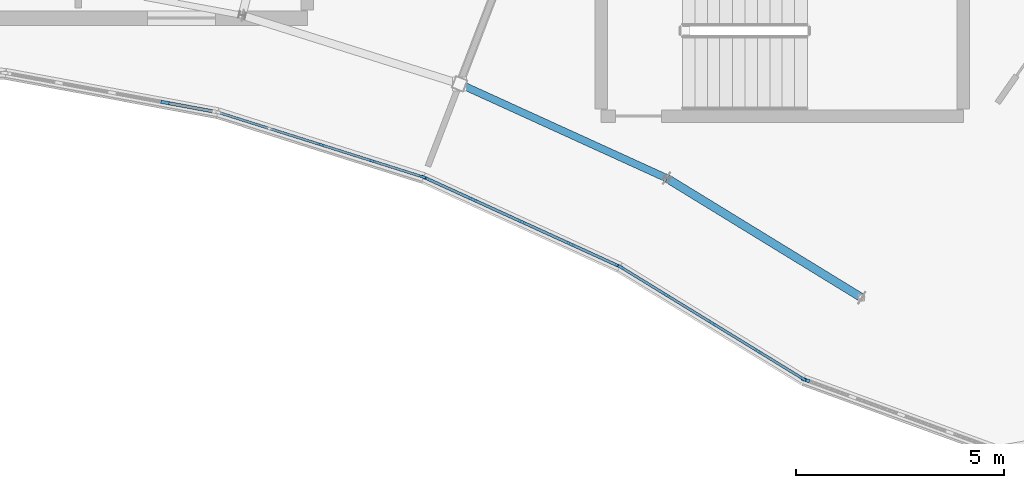
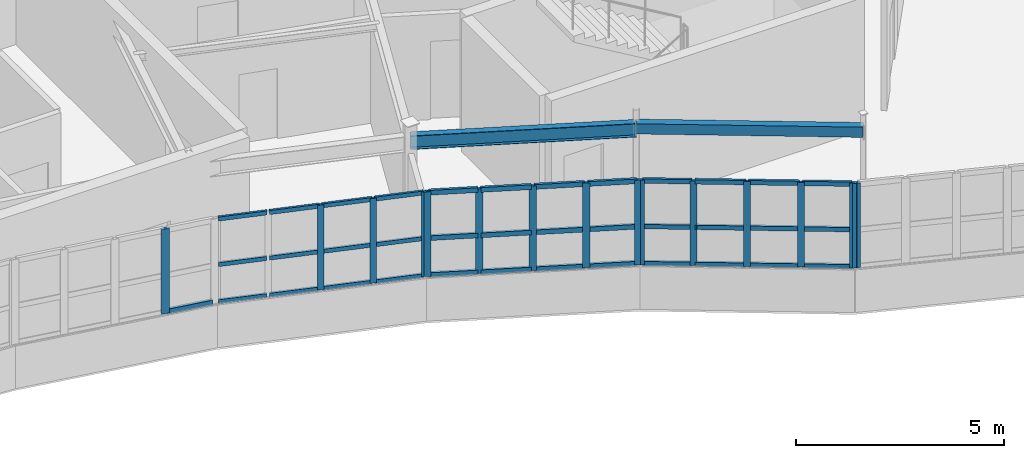
# One storey, part 38 of 79: 52 members, 2 beams, 5 elements without a shape of their own.
"""IFC4 building model written with IfcOpenShell, lengths in metres."""

from ifc_helpers import new_model, si_unit, direction, frame, origin, origin_2d, place, context, subcontext, project, spatial, rectangle, hollow_rectangle, i_section, extrude, material, layer, layer_set, material_profile, profile_set, type_object, element, aggregate, save


model = new_model("IFC4")

# Units and contexts
model_context = context("Model", 3, precision=1e-05, world=origin(), true_north=direction((0.0, 1.0)))
body_context = subcontext(model_context, "Body", "Model", "MODEL_VIEW")
ifc_project = project(units=[si_unit("LENGTHUNIT", "METRE"), si_unit("AREAUNIT", "SQUARE_METRE"), si_unit("VOLUMEUNIT", "CUBIC_METRE"), si_unit("PLANEANGLEUNIT", "RADIAN"), si_unit("MASSUNIT", "GRAM", prefix="KILO")], contexts=[model_context])

# Site, building, storey
site_placement = place(None, origin())
site = spatial("IfcSite", under=ifc_project, at=site_placement, CompositionType="ELEMENT")
building_placement = place(site_placement, origin())
building = spatial("IfcBuilding", under=site, at=building_placement, Name="Tarnwether General Hospital", CompositionType="ELEMENT")
storey_placement = place(building_placement, frame((0.0, 0.0, 18.300048828125)))
storey = spatial("IfcBuildingStorey", under=building, at=storey_placement, Name="L04", CompositionType="ELEMENT", Elevation=18.300048828125)

# Beams
ifc_material_1 = material(Name="Steel Grade 350 (350 MPa)", Category="steel")
ifc_material_profile_1 = material_profile(ifc_material_1, i_section(OverallWidth=0.177978515625, OverallDepth=0.403076171875, WebThickness=0.007568359375, FlangeThickness=0.010986328125, at=origin_2d()), Name="410UB53.7")
ifc_profile_set_1 = profile_set([ifc_material_profile_1], Name="Steel Grade 350 (350 MPa)")
beam_type_1 = type_object("IfcBeamType", Name="BM-SP2", PredefinedType="SPANDREL", material=ifc_profile_set_1)
beam_1_placement = place(storey_placement, frame((108.054931640625, 104.823974609375, 3.3583984375), z_axis=(0.909968605358, -0.414677148228, 0.0), x_axis=(0.414677148228, 0.909968605358, 0.0)))
element("IfcBeam", 1, at=beam_1_placement, inside=storey, type_object=beam_type_1, Name="Curved Ward NW Inner Spandrel BMG-L04-10806_10482-11303_10256-1978", PredefinedType="SPANDREL", context=body_context, shape_type="SweptSolid", body=[
    extrude(i_section(OverallWidth=0.177978515625, OverallDepth=0.403076171875, WebThickness=0.007568359375, FlangeThickness=0.010986328125, at=origin_2d()), origin(), (0.0, 0.0, 1.0), 5.469482421875),
])
ifc_material_2 = material(Name="Steel Grade C350L0 (350 MPa)", Category="steel")
ifc_material_profile_2 = material_profile(ifc_material_2, hollow_rectangle(XDim=0.199951171875, YDim=0.300048828125, WallThickness=0.012451171875, at=origin_2d()), Name="RHS300x200x12.5")
ifc_profile_set_2 = profile_set([ifc_material_profile_2], Name="Steel Grade C350L0 (350 MPa)")
beam_type_2 = type_object("IfcBeamType", Name="BM-SP3", PredefinedType="SPANDREL", material=ifc_profile_set_2)
beam_2_placement = place(storey_placement, frame((113.031982421875, 102.555908203125, 3.409912109375), z_axis=(0.85265897909, -0.522467860617, 0.0), x_axis=(0.522467860617, 0.85265897909, 0.0)))
element("IfcBeam", 2, at=beam_2_placement, inside=storey, type_object=beam_type_2, Name="Curved Ward NW Inner Spandrel BMG-L04-11303_10256-11770_9970-1980", PredefinedType="SPANDREL", context=body_context, shape_type="SweptSolid", body=[
    extrude(hollow_rectangle(XDim=0.199951171875, YDim=0.300048828125, WallThickness=0.012451171875, at=origin_2d()), origin(), (0.0, 0.0, 1.0), 5.469970703125),
])

# Curtain wall, members
ifc_material_3 = material(Name="Anodised aluminium", Category="aluminium")
ifc_layer = layer(ifc_material_3, 0.159912109375)
ifc_layer_set = layer_set([ifc_layer], Name="Anodised aluminium")
curtain_wall_type = type_object("IfcCurtainWallType", Name="CW-04", PredefinedType="NOTDEFINED", material=ifc_layer_set)
curtain_wall_1_placement = place(storey_placement, origin())
curtain_wall_1 = element("IfcCurtainWall", 3, at=curtain_wall_1_placement, inside=storey, type_object=curtain_wall_type, Name="Curtain Wall CWG-L04-1072_1026-0045", PredefinedType="NOTDEFINED")
ifc_material_4 = material(Name="Anodised aluminium", Category="aluminium")
ifc_material_profile_3 = material_profile(ifc_material_4, rectangle(XDim=0.06005859375, YDim=0.159912109375, at=origin_2d()), Name="ALU-MUL-60x160")
ifc_profile_set_3 = profile_set([ifc_material_profile_3], Name="Anodised aluminium")
member_type_1 = type_object("IfcMemberType", Name="CW-ML1", PredefinedType="MULLION", material=ifc_profile_set_3)
member_1_placement = place(storey_placement, frame((107.16650390625, 102.593017578125, 1.050048828125), z_axis=(0.0, 0.0, 1.0), x_axis=(-0.30071538783, -0.953713927508, 0.0)))
member_1 = element("IfcMember", 4, at=member_1_placement, type_object=member_type_1, Name="CW-04 mullion 1", PredefinedType="MULLION", context=body_context, shape_type="SweptSolid", body=[
    extrude(rectangle(XDim=0.06005859375, YDim=0.159912109375, at=origin_2d()), origin(), (0.0, 0.0, 1.0), 2.489990234375),
])
member_2_placement = place(storey_placement, frame((105.96044921875, 102.97314453125, 1.050048828125), z_axis=(0.0, 0.0, 1.0), x_axis=(-0.30071538783, -0.953713927508, 0.0)))
member_2 = element("IfcMember", 5, at=member_2_placement, type_object=member_type_1, Name="CW-04 mullion 2", PredefinedType="MULLION", context=body_context, shape_type="SweptSolid", body=[
    extrude(rectangle(XDim=0.06005859375, YDim=0.159912109375, at=origin_2d()), origin(), (0.0, 0.0, 1.0), 2.489990234375),
])
member_3_placement = place(storey_placement, frame((104.72607421875, 103.362548828125, 1.050048828125), z_axis=(0.0, 0.0, 1.0), x_axis=(-0.30071538783, -0.953713927508, 0.0)))
member_3 = element("IfcMember", 6, at=member_3_placement, type_object=member_type_1, Name="CW-04 mullion 3", PredefinedType="MULLION", context=body_context, shape_type="SweptSolid", body=[
    extrude(rectangle(XDim=0.06005859375, YDim=0.159912109375, at=origin_2d()), origin(), (0.0, 0.0, 1.0), 2.489990234375),
])

curtain_wall_2_placement = place(storey_placement, origin())
curtain_wall_2 = element("IfcCurtainWall", 7, at=curtain_wall_2_placement, inside=storey, type_object=curtain_wall_type, Name="Curtain Wall CWG-L04-1119_1004-0046", PredefinedType="NOTDEFINED")
ifc_material_5 = material(Name="Anodised aluminium", Category="aluminium")
ifc_material_profile_4 = material_profile(ifc_material_5, rectangle(XDim=0.070068359375, YDim=0.179931640625, at=origin_2d()), Name="ALU-MUL-70x180")
ifc_profile_set_4 = profile_set([ifc_material_profile_4], Name="Anodised aluminium")
member_type_2 = type_object("IfcMemberType", Name="CW-ML2", PredefinedType="MULLION", material=ifc_profile_set_4)
member_4_placement = place(storey_placement, frame((111.874267578125, 100.451416015625, 1.050048828125), z_axis=(0.0, 0.0, 1.0), x_axis=(-0.41470501572, -0.90995590549, 0.0)))
member_4 = element("IfcMember", 8, at=member_4_placement, type_object=member_type_2, Name="CW-04 mullion 1", PredefinedType="MULLION", context=body_context, shape_type="SweptSolid", body=[
    extrude(rectangle(XDim=0.070068359375, YDim=0.179931640625, at=origin_2d()), origin(), (0.0, 0.0, 1.0), 2.489990234375),
])
member_5_placement = place(storey_placement, frame((110.728271484375, 100.9736328125, 1.050048828125), z_axis=(0.0, 0.0, 1.0), x_axis=(-0.41470501572, -0.90995590549, 0.0)))
member_5 = element("IfcMember", 9, at=member_5_placement, type_object=member_type_2, Name="CW-04 mullion 2", PredefinedType="MULLION", context=body_context, shape_type="SweptSolid", body=[
    extrude(rectangle(XDim=0.070068359375, YDim=0.179931640625, at=origin_2d()), origin(), (0.0, 0.0, 1.0), 2.489990234375),
])
member_6_placement = place(storey_placement, frame((109.550537109375, 101.510498046875, 1.050048828125), z_axis=(0.0, 0.0, 1.0), x_axis=(-0.41470501572, -0.90995590549, 0.0)))
member_6 = element("IfcMember", 10, at=member_6_placement, type_object=member_type_2, Name="CW-04 mullion 3", PredefinedType="MULLION", context=body_context, shape_type="SweptSolid", body=[
    extrude(rectangle(XDim=0.070068359375, YDim=0.179931640625, at=origin_2d()), origin(), (0.0, 0.0, 1.0), 2.489990234375),
])
member_7_placement = place(storey_placement, frame((108.372802734375, 102.04736328125, 1.050048828125), z_axis=(0.0, 0.0, 1.0), x_axis=(-0.41470501572, -0.90995590549, 0.0)))
member_7 = element("IfcMember", 11, at=member_7_placement, type_object=member_type_2, Name="CW-04 mullion 4", PredefinedType="MULLION", context=body_context, shape_type="SweptSolid", body=[
    extrude(rectangle(XDim=0.070068359375, YDim=0.179931640625, at=origin_2d()), origin(), (0.0, 0.0, 1.0), 2.489990234375),
])
member_8_placement = place(storey_placement, frame((107.226806640625, 102.569580078125, 1.050048828125), z_axis=(0.0, 0.0, 1.0), x_axis=(-0.41470501572, -0.90995590549, 0.0)))
member_8 = element("IfcMember", 12, at=member_8_placement, type_object=member_type_2, Name="CW-04 mullion 5", PredefinedType="MULLION", context=body_context, shape_type="SweptSolid", body=[
    extrude(rectangle(XDim=0.070068359375, YDim=0.179931640625, at=origin_2d()), origin(), (0.0, 0.0, 1.0), 2.489990234375),
])

curtain_wall_3_placement = place(storey_placement, origin())
curtain_wall_3 = element("IfcCurtainWall", 13, at=curtain_wall_3_placement, inside=storey, type_object=curtain_wall_type, Name="Curtain Wall CWG-L04-1163_977-0047", PredefinedType="NOTDEFINED")
ifc_material_6 = material(Name="Anodised aluminium", Category="aluminium")
ifc_material_profile_5 = material_profile(ifc_material_6, rectangle(XDim=0.06494140625, YDim=0.169921875, at=origin_2d()), Name="ALU-MUL-65x170")
ifc_profile_set_5 = profile_set([ifc_material_profile_5], Name="Anodised aluminium")
member_type_3 = type_object("IfcMemberType", Name="CW-ML3", PredefinedType="MULLION", material=ifc_profile_set_5)
member_9_placement = place(storey_placement, frame((116.292236328125, 97.7490234375, 1.050048828125), z_axis=(0.0, 0.0, 1.0), x_axis=(-0.522512231483, -0.852631789198, 0.0)))
member_9 = element("IfcMember", 14, at=member_9_placement, type_object=member_type_3, Name="CW-04 mullion 1", PredefinedType="MULLION", context=body_context, shape_type="SweptSolid", body=[
    extrude(rectangle(XDim=0.06494140625, YDim=0.169921875, at=origin_2d()), origin(), (0.0, 0.0, 1.0), 2.489990234375),
])
member_10_placement = place(storey_placement, frame((115.216552734375, 98.408203125, 1.050048828125), z_axis=(0.0, 0.0, 1.0), x_axis=(-0.522512231483, -0.852631789198, 0.0)))
member_10 = element("IfcMember", 15, at=member_10_placement, type_object=member_type_3, Name="CW-04 mullion 2", PredefinedType="MULLION", context=body_context, shape_type="SweptSolid", body=[
    extrude(rectangle(XDim=0.06494140625, YDim=0.169921875, at=origin_2d()), origin(), (0.0, 0.0, 1.0), 2.489990234375),
])
member_11_placement = place(storey_placement, frame((114.113037109375, 99.08447265625, 1.050048828125), z_axis=(0.0, 0.0, 1.0), x_axis=(-0.522512231483, -0.852631789198, 0.0)))
member_11 = element("IfcMember", 16, at=member_11_placement, type_object=member_type_3, Name="CW-04 mullion 3", PredefinedType="MULLION", context=body_context, shape_type="SweptSolid", body=[
    extrude(rectangle(XDim=0.06494140625, YDim=0.169921875, at=origin_2d()), origin(), (0.0, 0.0, 1.0), 2.489990234375),
])
member_12_placement = place(storey_placement, frame((113.009521484375, 99.7607421875, 1.050048828125), z_axis=(0.0, 0.0, 1.0), x_axis=(-0.522512231483, -0.852631789198, 0.0)))
member_12 = element("IfcMember", 17, at=member_12_placement, type_object=member_type_3, Name="CW-04 mullion 4", PredefinedType="MULLION", context=body_context, shape_type="SweptSolid", body=[
    extrude(rectangle(XDim=0.06494140625, YDim=0.169921875, at=origin_2d()), origin(), (0.0, 0.0, 1.0), 2.489990234375),
])
member_13_placement = place(storey_placement, frame((111.93359375, 100.419921875, 1.050048828125), z_axis=(0.0, 0.0, 1.0), x_axis=(-0.522512231483, -0.852631789198, 0.0)))
member_13 = element("IfcMember", 18, at=member_13_placement, type_object=member_type_3, Name="CW-04 mullion 5", PredefinedType="MULLION", context=body_context, shape_type="SweptSolid", body=[
    extrude(rectangle(XDim=0.06494140625, YDim=0.169921875, at=origin_2d()), origin(), (0.0, 0.0, 1.0), 2.489990234375),
])

# Curtain wall, member
curtain_wall_4_placement = place(storey_placement, origin())
curtain_wall_4 = element("IfcCurtainWall", 19, at=curtain_wall_4_placement, inside=storey, type_object=curtain_wall_type, Name="Curtain Wall CWG-L04-1023_1041-0044", PredefinedType="NOTDEFINED")
ifc_material_7 = material(Name="Anodised aluminium", Category="aluminium")
ifc_material_profile_6 = material_profile(ifc_material_7, rectangle(XDim=0.080078125, YDim=0.199951171875, at=origin_2d()), Name="ALU-MUL-80x200")
ifc_profile_set_6 = profile_set([ifc_material_profile_6], Name="Anodised aluminium")
member_type_4 = type_object("IfcMemberType", Name="CW-ML4", PredefinedType="MULLION", material=ifc_profile_set_6)
member_14_placement = place(storey_placement, frame((100.984619140625, 104.376708984375, 1.050048828125), z_axis=(0.0, 0.0, 1.0), x_axis=(-0.182165351666, -0.983267910924, 0.0)))
member_14 = element("IfcMember", 20, at=member_14_placement, type_object=member_type_4, Name="CW-04 mullion 2", PredefinedType="MULLION", context=body_context, shape_type="SweptSolid", body=[
    extrude(rectangle(XDim=0.080078125, YDim=0.199951171875, at=origin_2d()), origin(), (0.0, 0.0, 1.0), 2.489990234375),
])

curtain_wall_5_placement = place(storey_placement, origin())
curtain_wall_5 = element("IfcCurtainWall", 21, at=curtain_wall_5_placement, inside=storey, type_object=curtain_wall_type, Name="Curtain Wall CWG-L04-1210_960-0048", PredefinedType="NOTDEFINED")
member_15_placement = place(storey_placement, frame((116.357666015625, 97.71826171875, 1.050048828125), z_axis=(0.0, 0.0, 1.0), x_axis=(-0.342130850834, -0.939652319163, 0.0)))
member_15 = element("IfcMember", 22, at=member_15_placement, type_object=member_type_4, Name="CW-04 mullion 5", PredefinedType="MULLION", context=body_context, shape_type="SweptSolid", body=[
    extrude(rectangle(XDim=0.080078125, YDim=0.199951171875, at=origin_2d()), origin(), (0.0, 0.0, 1.0), 2.489990234375),
])
aggregate(curtain_wall_5, [member_15])

# Member
ifc_material_8 = material(Name="Anodised aluminium", Category="aluminium")
ifc_material_profile_7 = material_profile(ifc_material_8, rectangle(XDim=0.06005859375, YDim=0.1201171875, at=origin_2d()), Name="ALU-TRN-60x120")
ifc_profile_set_7 = profile_set([ifc_material_profile_7], Name="Anodised aluminium")
member_type_5 = type_object("IfcMemberType", Name="CW-TR1", PredefinedType="USERDEFINED", material=ifc_profile_set_7)
member_16_placement = place(storey_placement, frame((107.1376953125, 102.60205078125, 1.079833984375), z_axis=(-0.953744897791, 0.300617148443, 0.0), x_axis=(-0.300617148443, -0.953744897791, 0.0)))
member_16 = element("IfcMember", 23, at=member_16_placement, type_object=member_type_5, Name="CW-04 transom 1.1", ObjectType="TRANSOM", PredefinedType="USERDEFINED", context=body_context, shape_type="SweptSolid", body=[
    extrude(rectangle(XDim=0.06005859375, YDim=0.1201171875, at=origin_2d()), origin(), (0.0, 0.0, 1.0), 1.204345703125),
])

member_17_placement = place(storey_placement, frame((107.1376953125, 102.60205078125, 2.17041015625), z_axis=(-0.953744897791, 0.300617148443, 0.0), x_axis=(-0.300617148443, -0.953744897791, 0.0)))
member_17 = element("IfcMember", 24, at=member_17_placement, type_object=member_type_5, Name="CW-04 transom 1.2", ObjectType="TRANSOM", PredefinedType="USERDEFINED", context=body_context, shape_type="SweptSolid", body=[
    extrude(rectangle(XDim=0.06005859375, YDim=0.1201171875, at=origin_2d()), origin(), (0.0, 0.0, 1.0), 1.204345703125),
])

member_18_placement = place(storey_placement, frame((107.1376953125, 102.60205078125, 3.510009765625), z_axis=(-0.953744897791, 0.300617148443, 0.0), x_axis=(-0.300617148443, -0.953744897791, 0.0)))
member_18 = element("IfcMember", 25, at=member_18_placement, type_object=member_type_5, Name="CW-04 transom 1.3", ObjectType="TRANSOM", PredefinedType="USERDEFINED", context=body_context, shape_type="SweptSolid", body=[
    extrude(rectangle(XDim=0.06005859375, YDim=0.1201171875, at=origin_2d()), origin(), (0.0, 0.0, 1.0), 1.204345703125),
])

member_19_placement = place(storey_placement, frame((105.931884765625, 102.982177734375, 1.079833984375), z_axis=(-0.953681253444, 0.300818993465, 0.0), x_axis=(-0.300818993465, -0.953681253444, 0.0)))
member_19 = element("IfcMember", 26, at=member_19_placement, type_object=member_type_5, Name="CW-04 transom 2.1", ObjectType="TRANSOM", PredefinedType="USERDEFINED", context=body_context, shape_type="SweptSolid", body=[
    extrude(rectangle(XDim=0.06005859375, YDim=0.1201171875, at=origin_2d()), origin(), (0.0, 0.0, 1.0), 1.234375),
])

member_20_placement = place(storey_placement, frame((105.931884765625, 102.982177734375, 2.17041015625), z_axis=(-0.953681253444, 0.300818993465, 0.0), x_axis=(-0.300818993465, -0.953681253444, 0.0)))
member_20 = element("IfcMember", 27, at=member_20_placement, type_object=member_type_5, Name="CW-04 transom 2.2", ObjectType="TRANSOM", PredefinedType="USERDEFINED", context=body_context, shape_type="SweptSolid", body=[
    extrude(rectangle(XDim=0.06005859375, YDim=0.1201171875, at=origin_2d()), origin(), (0.0, 0.0, 1.0), 1.234375),
])

member_21_placement = place(storey_placement, frame((105.931884765625, 102.982177734375, 3.510009765625), z_axis=(-0.953681253444, 0.300818993465, 0.0), x_axis=(-0.300818993465, -0.953681253444, 0.0)))
member_21 = element("IfcMember", 28, at=member_21_placement, type_object=member_type_5, Name="CW-04 transom 2.3", ObjectType="TRANSOM", PredefinedType="USERDEFINED", context=body_context, shape_type="SweptSolid", body=[
    extrude(rectangle(XDim=0.06005859375, YDim=0.1201171875, at=origin_2d()), origin(), (0.0, 0.0, 1.0), 1.234375),
])

member_22_placement = place(storey_placement, frame((104.697509765625, 103.37158203125, 1.079833984375), z_axis=(-0.953755851093, 0.300582395534, 0.0), x_axis=(-0.300582395534, -0.953755851093, 0.0)))
member_22 = element("IfcMember", 29, at=member_22_placement, type_object=member_type_5, Name="CW-04 transom 3.1", ObjectType="TRANSOM", PredefinedType="USERDEFINED", context=body_context, shape_type="SweptSolid", body=[
    extrude(rectangle(XDim=0.06005859375, YDim=0.1201171875, at=origin_2d()), origin(), (0.0, 0.0, 1.0), 1.234619140625),
])

member_23_placement = place(storey_placement, frame((104.697509765625, 103.37158203125, 2.17041015625), z_axis=(-0.953755851093, 0.300582395534, 0.0), x_axis=(-0.300582395534, -0.953755851093, 0.0)))
member_23 = element("IfcMember", 30, at=member_23_placement, type_object=member_type_5, Name="CW-04 transom 3.2", ObjectType="TRANSOM", PredefinedType="USERDEFINED", context=body_context, shape_type="SweptSolid", body=[
    extrude(rectangle(XDim=0.06005859375, YDim=0.1201171875, at=origin_2d()), origin(), (0.0, 0.0, 1.0), 1.234619140625),
])

member_24_placement = place(storey_placement, frame((104.697509765625, 103.37158203125, 3.510009765625), z_axis=(-0.953755851093, 0.300582395534, 0.0), x_axis=(-0.300582395534, -0.953755851093, 0.0)))
member_24 = element("IfcMember", 31, at=member_24_placement, type_object=member_type_5, Name="CW-04 transom 3.3", ObjectType="TRANSOM", PredefinedType="USERDEFINED", context=body_context, shape_type="SweptSolid", body=[
    extrude(rectangle(XDim=0.06005859375, YDim=0.1201171875, at=origin_2d()), origin(), (0.0, 0.0, 1.0), 1.234619140625),
])

member_25_placement = place(storey_placement, frame((103.462890625, 103.7607421875, 1.079833984375), z_axis=(-0.953686764452, 0.300801521455, 0.0), x_axis=(-0.300801521455, -0.953686764452, 0.0)))
member_25 = element("IfcMember", 32, at=member_25_placement, type_object=member_type_5, Name="CW-04 transom 4.1", ObjectType="TRANSOM", PredefinedType="USERDEFINED", context=body_context, shape_type="SweptSolid", body=[
    extrude(rectangle(XDim=0.06005859375, YDim=0.1201171875, at=origin_2d()), origin(), (0.0, 0.0, 1.0), 1.204345703125),
])

member_26_placement = place(storey_placement, frame((103.462890625, 103.7607421875, 2.17041015625), z_axis=(-0.953686764452, 0.300801521455, 0.0), x_axis=(-0.300801521455, -0.953686764452, 0.0)))
member_26 = element("IfcMember", 33, at=member_26_placement, type_object=member_type_5, Name="CW-04 transom 4.2", ObjectType="TRANSOM", PredefinedType="USERDEFINED", context=body_context, shape_type="SweptSolid", body=[
    extrude(rectangle(XDim=0.06005859375, YDim=0.1201171875, at=origin_2d()), origin(), (0.0, 0.0, 1.0), 1.204345703125),
])

member_27_placement = place(storey_placement, frame((103.462890625, 103.7607421875, 3.510009765625), z_axis=(-0.953686764452, 0.300801521455, 0.0), x_axis=(-0.300801521455, -0.953686764452, 0.0)))
member_27 = element("IfcMember", 34, at=member_27_placement, type_object=member_type_5, Name="CW-04 transom 4.3", ObjectType="TRANSOM", PredefinedType="USERDEFINED", context=body_context, shape_type="SweptSolid", body=[
    extrude(rectangle(XDim=0.06005859375, YDim=0.1201171875, at=origin_2d()), origin(), (0.0, 0.0, 1.0), 1.204345703125),
])

aggregate(curtain_wall_1, [member_1, member_2, member_3, member_16, member_17, member_18, member_19, member_20, member_21, member_22, member_23, member_24, member_25, member_26, member_27])

ifc_material_9 = material(Name="Anodised aluminium", Category="aluminium")
ifc_material_profile_8 = material_profile(ifc_material_9, rectangle(XDim=0.070068359375, YDim=0.139892578125, at=origin_2d()), Name="ALU-TRN-70x140")
ifc_profile_set_8 = profile_set([ifc_material_profile_8], Name="Anodised aluminium")
member_type_6 = type_object("IfcMemberType", Name="CW-TR2", PredefinedType="USERDEFINED", material=ifc_profile_set_8)
member_28_placement = place(storey_placement, frame((111.84228515625, 100.466064453125, 1.0849609375), z_axis=(-0.909979433919, 0.414653385183, 0.0), x_axis=(-0.414653385183, -0.909979433919, 0.0)))
member_28 = element("IfcMember", 35, at=member_28_placement, type_object=member_type_6, Name="CW-04 transom 1.1", ObjectType="TRANSOM", PredefinedType="USERDEFINED", context=body_context, shape_type="SweptSolid", body=[
    extrude(rectangle(XDim=0.070068359375, YDim=0.139892578125, at=origin_2d()), origin(), (0.0, 0.0, 1.0), 1.189453125),
])

member_29_placement = place(storey_placement, frame((111.84228515625, 100.466064453125, 2.17041015625), z_axis=(-0.909979433919, 0.414653385183, 0.0), x_axis=(-0.414653385183, -0.909979433919, 0.0)))
member_29 = element("IfcMember", 36, at=member_29_placement, type_object=member_type_6, Name="CW-04 transom 1.2", ObjectType="TRANSOM", PredefinedType="USERDEFINED", context=body_context, shape_type="SweptSolid", body=[
    extrude(rectangle(XDim=0.070068359375, YDim=0.139892578125, at=origin_2d()), origin(), (0.0, 0.0, 1.0), 1.189453125),
])

member_30_placement = place(storey_placement, frame((111.84228515625, 100.466064453125, 3.5048828125), z_axis=(-0.909979433919, 0.414653385183, 0.0), x_axis=(-0.414653385183, -0.909979433919, 0.0)))
member_30 = element("IfcMember", 37, at=member_30_placement, type_object=member_type_6, Name="CW-04 transom 1.3", ObjectType="TRANSOM", PredefinedType="USERDEFINED", context=body_context, shape_type="SweptSolid", body=[
    extrude(rectangle(XDim=0.070068359375, YDim=0.139892578125, at=origin_2d()), origin(), (0.0, 0.0, 1.0), 1.189453125),
])

member_31_placement = place(storey_placement, frame((110.6962890625, 100.98828125, 1.0849609375), z_axis=(-0.909922054597, 0.414779284147, 0.0), x_axis=(-0.414779284147, -0.909922054597, 0.0)))
member_31 = element("IfcMember", 38, at=member_31_placement, type_object=member_type_6, Name="CW-04 transom 2.1", ObjectType="TRANSOM", PredefinedType="USERDEFINED", context=body_context, shape_type="SweptSolid", body=[
    extrude(rectangle(XDim=0.070068359375, YDim=0.139892578125, at=origin_2d()), origin(), (0.0, 0.0, 1.0), 1.224365234375),
])

member_32_placement = place(storey_placement, frame((110.6962890625, 100.98828125, 2.17041015625), z_axis=(-0.909922054597, 0.414779284147, 0.0), x_axis=(-0.414779284147, -0.909922054597, 0.0)))
member_32 = element("IfcMember", 39, at=member_32_placement, type_object=member_type_6, Name="CW-04 transom 2.2", ObjectType="TRANSOM", PredefinedType="USERDEFINED", context=body_context, shape_type="SweptSolid", body=[
    extrude(rectangle(XDim=0.070068359375, YDim=0.139892578125, at=origin_2d()), origin(), (0.0, 0.0, 1.0), 1.224365234375),
])

member_33_placement = place(storey_placement, frame((110.6962890625, 100.98828125, 3.5048828125), z_axis=(-0.909922054597, 0.414779284147, 0.0), x_axis=(-0.414779284147, -0.909922054597, 0.0)))
member_33 = element("IfcMember", 40, at=member_33_placement, type_object=member_type_6, Name="CW-04 transom 2.3", ObjectType="TRANSOM", PredefinedType="USERDEFINED", context=body_context, shape_type="SweptSolid", body=[
    extrude(rectangle(XDim=0.070068359375, YDim=0.139892578125, at=origin_2d()), origin(), (0.0, 0.0, 1.0), 1.224365234375),
])

member_34_placement = place(storey_placement, frame((109.5185546875, 101.52490234375, 1.0849609375), z_axis=(-0.909922054597, 0.414779284147, 0.0), x_axis=(-0.414779284147, -0.909922054597, 0.0)))
member_34 = element("IfcMember", 41, at=member_34_placement, type_object=member_type_6, Name="CW-04 transom 3.1", ObjectType="TRANSOM", PredefinedType="USERDEFINED", context=body_context, shape_type="SweptSolid", body=[
    extrude(rectangle(XDim=0.070068359375, YDim=0.139892578125, at=origin_2d()), origin(), (0.0, 0.0, 1.0), 1.224365234375),
])

member_35_placement = place(storey_placement, frame((109.5185546875, 101.52490234375, 2.17041015625), z_axis=(-0.909922054597, 0.414779284147, 0.0), x_axis=(-0.414779284147, -0.909922054597, 0.0)))
member_35 = element("IfcMember", 42, at=member_35_placement, type_object=member_type_6, Name="CW-04 transom 3.2", ObjectType="TRANSOM", PredefinedType="USERDEFINED", context=body_context, shape_type="SweptSolid", body=[
    extrude(rectangle(XDim=0.070068359375, YDim=0.139892578125, at=origin_2d()), origin(), (0.0, 0.0, 1.0), 1.224365234375),
])

member_36_placement = place(storey_placement, frame((109.5185546875, 101.52490234375, 3.5048828125), z_axis=(-0.909922054597, 0.414779284147, 0.0), x_axis=(-0.414779284147, -0.909922054597, 0.0)))
member_36 = element("IfcMember", 43, at=member_36_placement, type_object=member_type_6, Name="CW-04 transom 3.3", ObjectType="TRANSOM", PredefinedType="USERDEFINED", context=body_context, shape_type="SweptSolid", body=[
    extrude(rectangle(XDim=0.070068359375, YDim=0.139892578125, at=origin_2d()), origin(), (0.0, 0.0, 1.0), 1.224365234375),
])

member_37_placement = place(storey_placement, frame((108.3408203125, 102.061767578125, 1.0849609375), z_axis=(-0.909944129752, 0.414730853362, 0.0), x_axis=(-0.414730853362, -0.909944129752, 0.0)))
member_37 = element("IfcMember", 44, at=member_37_placement, type_object=member_type_6, Name="CW-04 transom 4.1", ObjectType="TRANSOM", PredefinedType="USERDEFINED", context=body_context, shape_type="SweptSolid", body=[
    extrude(rectangle(XDim=0.070068359375, YDim=0.139892578125, at=origin_2d()), origin(), (0.0, 0.0, 1.0), 1.189208984375),
])

member_38_placement = place(storey_placement, frame((108.3408203125, 102.061767578125, 2.17041015625), z_axis=(-0.909944129752, 0.414730853362, 0.0), x_axis=(-0.414730853362, -0.909944129752, 0.0)))
member_38 = element("IfcMember", 45, at=member_38_placement, type_object=member_type_6, Name="CW-04 transom 4.2", ObjectType="TRANSOM", PredefinedType="USERDEFINED", context=body_context, shape_type="SweptSolid", body=[
    extrude(rectangle(XDim=0.070068359375, YDim=0.139892578125, at=origin_2d()), origin(), (0.0, 0.0, 1.0), 1.189208984375),
])

member_39_placement = place(storey_placement, frame((108.3408203125, 102.061767578125, 3.5048828125), z_axis=(-0.909944129752, 0.414730853362, 0.0), x_axis=(-0.414730853362, -0.909944129752, 0.0)))
member_39 = element("IfcMember", 46, at=member_39_placement, type_object=member_type_6, Name="CW-04 transom 4.3", ObjectType="TRANSOM", PredefinedType="USERDEFINED", context=body_context, shape_type="SweptSolid", body=[
    extrude(rectangle(XDim=0.070068359375, YDim=0.139892578125, at=origin_2d()), origin(), (0.0, 0.0, 1.0), 1.189208984375),
])

aggregate(curtain_wall_2, [member_4, member_5, member_6, member_7, member_8, member_28, member_29, member_30, member_31, member_32, member_33, member_34, member_35, member_36, member_37, member_38, member_39])

ifc_material_10 = material(Name="Anodised aluminium", Category="aluminium")
ifc_material_profile_9 = material_profile(ifc_material_10, rectangle(XDim=0.06494140625, YDim=0.1298828125, at=origin_2d()), Name="ALU-TRN-65x130")
ifc_profile_set_9 = profile_set([ifc_material_profile_9], Name="Anodised aluminium")
member_type_7 = type_object("IfcMemberType", Name="CW-TR3", PredefinedType="USERDEFINED", material=ifc_profile_set_9)
member_40_placement = place(storey_placement, frame((116.2646484375, 97.765869140625, 1.08251953125), z_axis=(-0.852595389372, 0.522571623821, 0.0), x_axis=(-0.522571623821, -0.852595389372, 0.0)))
member_40 = element("IfcMember", 47, at=member_40_placement, type_object=member_type_7, Name="CW-04 transom 1.1", ObjectType="TRANSOM", PredefinedType="USERDEFINED", context=body_context, shape_type="SweptSolid", body=[
    extrude(rectangle(XDim=0.06494140625, YDim=0.1298828125, at=origin_2d()), origin(), (0.0, 0.0, 1.0), 1.197021484375),
])

member_41_placement = place(storey_placement, frame((116.2646484375, 97.765869140625, 2.17041015625), z_axis=(-0.852595389372, 0.522571623821, 0.0), x_axis=(-0.522571623821, -0.852595389372, 0.0)))
member_41 = element("IfcMember", 48, at=member_41_placement, type_object=member_type_7, Name="CW-04 transom 1.2", ObjectType="TRANSOM", PredefinedType="USERDEFINED", context=body_context, shape_type="SweptSolid", body=[
    extrude(rectangle(XDim=0.06494140625, YDim=0.1298828125, at=origin_2d()), origin(), (0.0, 0.0, 1.0), 1.197021484375),
])

member_42_placement = place(storey_placement, frame((116.2646484375, 97.765869140625, 3.507568359375), z_axis=(-0.852595389372, 0.522571623821, 0.0), x_axis=(-0.522571623821, -0.852595389372, 0.0)))
member_42 = element("IfcMember", 49, at=member_42_placement, type_object=member_type_7, Name="CW-04 transom 1.3", ObjectType="TRANSOM", PredefinedType="USERDEFINED", context=body_context, shape_type="SweptSolid", body=[
    extrude(rectangle(XDim=0.06494140625, YDim=0.1298828125, at=origin_2d()), origin(), (0.0, 0.0, 1.0), 1.197021484375),
])

member_43_placement = place(storey_placement, frame((115.188720703125, 98.42529296875, 1.08251953125), z_axis=(-0.852618378397, 0.522534114503, 0.0), x_axis=(-0.522534114503, -0.852618378397, 0.0)))
member_43 = element("IfcMember", 50, at=member_43_placement, type_object=member_type_7, Name="CW-04 transom 2.1", ObjectType="TRANSOM", PredefinedType="USERDEFINED", context=body_context, shape_type="SweptSolid", body=[
    extrude(rectangle(XDim=0.06494140625, YDim=0.1298828125, at=origin_2d()), origin(), (0.0, 0.0, 1.0), 1.229248046875),
])

member_44_placement = place(storey_placement, frame((115.188720703125, 98.42529296875, 2.17041015625), z_axis=(-0.852618378397, 0.522534114503, 0.0), x_axis=(-0.522534114503, -0.852618378397, 0.0)))
member_44 = element("IfcMember", 51, at=member_44_placement, type_object=member_type_7, Name="CW-04 transom 2.2", ObjectType="TRANSOM", PredefinedType="USERDEFINED", context=body_context, shape_type="SweptSolid", body=[
    extrude(rectangle(XDim=0.06494140625, YDim=0.1298828125, at=origin_2d()), origin(), (0.0, 0.0, 1.0), 1.229248046875),
])

member_45_placement = place(storey_placement, frame((115.188720703125, 98.42529296875, 3.507568359375), z_axis=(-0.852618378397, 0.522534114503, 0.0), x_axis=(-0.522534114503, -0.852618378397, 0.0)))
member_45 = element("IfcMember", 52, at=member_45_placement, type_object=member_type_7, Name="CW-04 transom 2.3", ObjectType="TRANSOM", PredefinedType="USERDEFINED", context=body_context, shape_type="SweptSolid", body=[
    extrude(rectangle(XDim=0.06494140625, YDim=0.1298828125, at=origin_2d()), origin(), (0.0, 0.0, 1.0), 1.229248046875),
])

member_46_placement = place(storey_placement, frame((114.085205078125, 99.1015625, 1.08251953125), z_axis=(-0.852706859025, 0.522389713309, 0.0), x_axis=(-0.522389713309, -0.852706859025, 0.0)))
member_46 = element("IfcMember", 53, at=member_46_placement, type_object=member_type_7, Name="CW-04 transom 3.1", ObjectType="TRANSOM", PredefinedType="USERDEFINED", context=body_context, shape_type="SweptSolid", body=[
    extrude(rectangle(XDim=0.06494140625, YDim=0.1298828125, at=origin_2d()), origin(), (0.0, 0.0, 1.0), 1.229248046875),
])

member_47_placement = place(storey_placement, frame((114.085205078125, 99.1015625, 2.17041015625), z_axis=(-0.852706859025, 0.522389713309, 0.0), x_axis=(-0.522389713309, -0.852706859025, 0.0)))
member_47 = element("IfcMember", 54, at=member_47_placement, type_object=member_type_7, Name="CW-04 transom 3.2", ObjectType="TRANSOM", PredefinedType="USERDEFINED", context=body_context, shape_type="SweptSolid", body=[
    extrude(rectangle(XDim=0.06494140625, YDim=0.1298828125, at=origin_2d()), origin(), (0.0, 0.0, 1.0), 1.229248046875),
])

member_48_placement = place(storey_placement, frame((114.085205078125, 99.1015625, 3.507568359375), z_axis=(-0.852706859025, 0.522389713309, 0.0), x_axis=(-0.522389713309, -0.852706859025, 0.0)))
member_48 = element("IfcMember", 55, at=member_48_placement, type_object=member_type_7, Name="CW-04 transom 3.3", ObjectType="TRANSOM", PredefinedType="USERDEFINED", context=body_context, shape_type="SweptSolid", body=[
    extrude(rectangle(XDim=0.06494140625, YDim=0.1298828125, at=origin_2d()), origin(), (0.0, 0.0, 1.0), 1.229248046875),
])

member_49_placement = place(storey_placement, frame((112.981689453125, 99.77783203125, 1.08251953125), z_axis=(-0.852630574222, 0.522514214066, 0.0), x_axis=(-0.522514214066, -0.852630574222, 0.0)))
member_49 = element("IfcMember", 56, at=member_49_placement, type_object=member_type_7, Name="CW-04 transom 4.1", ObjectType="TRANSOM", PredefinedType="USERDEFINED", context=body_context, shape_type="SweptSolid", body=[
    extrude(rectangle(XDim=0.06494140625, YDim=0.1298828125, at=origin_2d()), origin(), (0.0, 0.0, 1.0), 1.196533203125),
])

member_50_placement = place(storey_placement, frame((112.981689453125, 99.77783203125, 2.17041015625), z_axis=(-0.852630574222, 0.522514214066, 0.0), x_axis=(-0.522514214066, -0.852630574222, 0.0)))
member_50 = element("IfcMember", 57, at=member_50_placement, type_object=member_type_7, Name="CW-04 transom 4.2", ObjectType="TRANSOM", PredefinedType="USERDEFINED", context=body_context, shape_type="SweptSolid", body=[
    extrude(rectangle(XDim=0.06494140625, YDim=0.1298828125, at=origin_2d()), origin(), (0.0, 0.0, 1.0), 1.196533203125),
])

member_51_placement = place(storey_placement, frame((112.981689453125, 99.77783203125, 3.507568359375), z_axis=(-0.852630574222, 0.522514214066, 0.0), x_axis=(-0.522514214066, -0.852630574222, 0.0)))
member_51 = element("IfcMember", 58, at=member_51_placement, type_object=member_type_7, Name="CW-04 transom 4.3", ObjectType="TRANSOM", PredefinedType="USERDEFINED", context=body_context, shape_type="SweptSolid", body=[
    extrude(rectangle(XDim=0.06494140625, YDim=0.1298828125, at=origin_2d()), origin(), (0.0, 0.0, 1.0), 1.196533203125),
])

aggregate(curtain_wall_3, [member_9, member_10, member_11, member_12, member_13, member_40, member_41, member_42, member_43, member_44, member_45, member_46, member_47, member_48, member_49, member_50, member_51])

ifc_material_11 = material(Name="Anodised aluminium", Category="aluminium")
ifc_material_profile_10 = material_profile(ifc_material_11, rectangle(XDim=0.080078125, YDim=0.14990234375, at=origin_2d()), Name="ALU-TRN-80x150")
ifc_profile_set_10 = profile_set([ifc_material_profile_10], Name="Anodised aluminium")
member_type_8 = type_object("IfcMemberType", Name="CW-TR4", PredefinedType="USERDEFINED", material=ifc_profile_set_10)
member_52_placement = place(storey_placement, frame((102.17822265625, 104.155517578125, 1.08984375), z_axis=(-0.983265451868, 0.182178624331, 0.0), x_axis=(-0.182178624331, -0.983265451868, 0.0)))
member_52 = element("IfcMember", 59, at=member_52_placement, type_object=member_type_8, Name="CW-04 transom 1.1", ObjectType="TRANSOM", PredefinedType="USERDEFINED", context=body_context, shape_type="SweptSolid", body=[
    extrude(rectangle(XDim=0.080078125, YDim=0.14990234375, at=origin_2d()), origin(), (0.0, 0.0, 1.0), 1.173828125),
])

aggregate(curtain_wall_4, [member_14, member_52])

save(model, "model.ifc")
